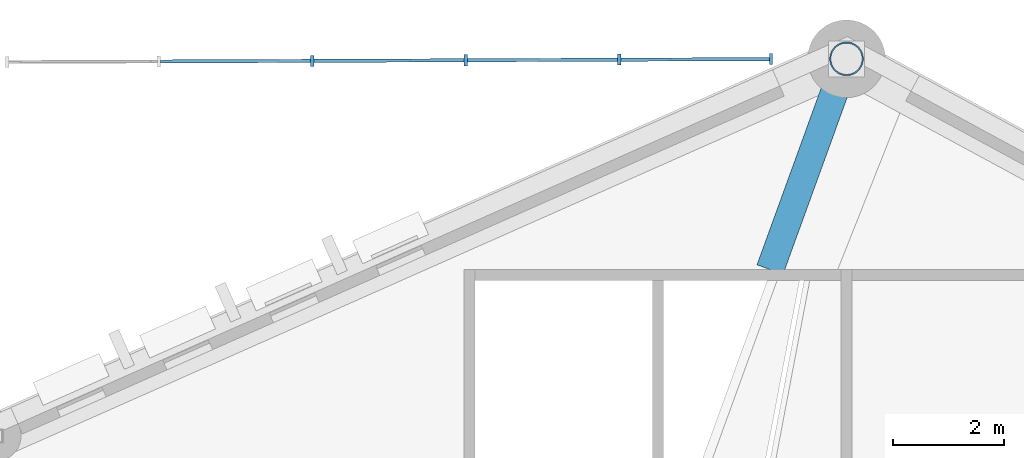
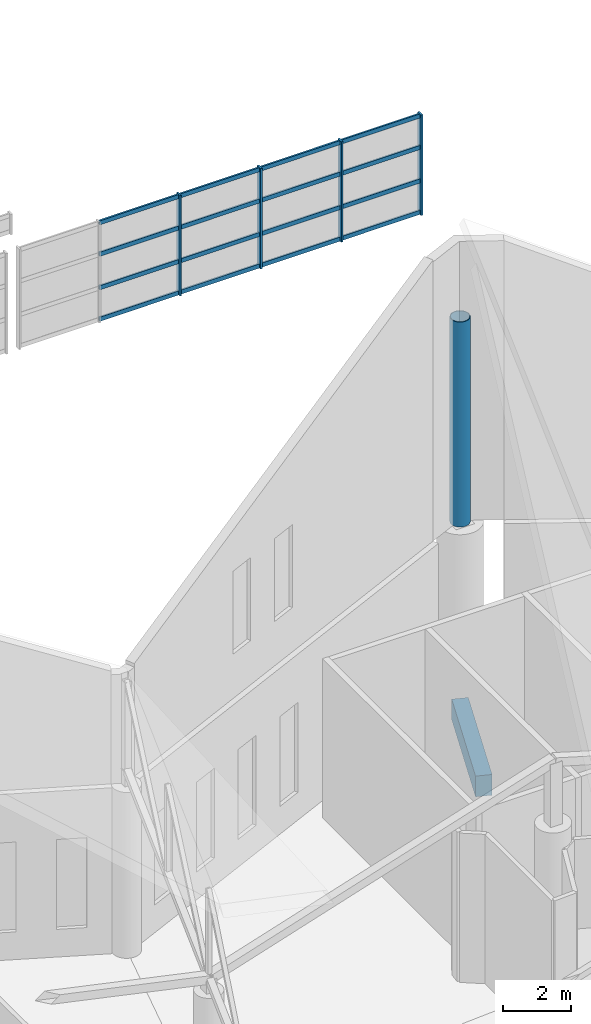
# One storey, part 204 of 344: 21 members, 1 beam, 1 element without a shape of its own.
"""IFC4 building model written with IfcOpenShell, lengths in metres."""

from ifc_helpers import new_model, si_unit, direction, frame, origin, origin_2d, place, context, subcontext, project, spatial, rectangle, hollow_circle, extrude, material, layer, layer_set, material_profile, profile_set, type_object, element, aggregate, save


model = new_model("IFC4")

# Units and contexts
model_context = context("Model", 3, precision=1e-05, world=origin(), true_north=direction((0.0, 1.0)))
body_context = subcontext(model_context, "Body", "Model", "MODEL_VIEW")
ifc_project = project(units=[si_unit("LENGTHUNIT", "METRE"), si_unit("AREAUNIT", "SQUARE_METRE"), si_unit("VOLUMEUNIT", "CUBIC_METRE"), si_unit("PLANEANGLEUNIT", "RADIAN"), si_unit("MASSUNIT", "GRAM", prefix="KILO")], contexts=[model_context])

# Site, building, storey
site_placement = place(None, origin())
site = spatial("IfcSite", under=ifc_project, at=site_placement, CompositionType="ELEMENT")
building_placement = place(site_placement, origin())
building = spatial("IfcBuilding", under=site, at=building_placement, Name="Meseta Stadium", CompositionType="ELEMENT")
storey_placement = place(building_placement, frame((0.0, 0.0, 24.0)))
storey = spatial("IfcBuildingStorey", under=building, at=storey_placement, Name="L04", CompositionType="ELEMENT", Elevation=24.0)

# Member
ifc_material_1 = material(Name="Steel S355", Category="steel")
ifc_material_profile_1 = material_profile(ifc_material_1, hollow_circle(Radius=0.304931640625, WallThickness=0.02490234375, at=origin_2d()), Name="CHS 610x25")
ifc_profile_set_1 = profile_set([ifc_material_profile_1], Name="Steel S355")
member_type_1 = type_object("IfcMemberType", Name="CHS 610x25 pylon post", PredefinedType="POST", material=ifc_profile_set_1)
member_1_placement = place(storey_placement, frame((38.333251953125, 105.39990234375, 6.0), z_axis=(0.0, 0.0, 1.0), x_axis=(1.0, 0.0, 0.0)))
element("IfcMember", 1, at=member_1_placement, inside=storey, type_object=member_type_1, Name="GABLE ARCH GA-N pylon post", PredefinedType="POST", context=body_context, shape_type="SweptSolid", body=[
    extrude(hollow_circle(Radius=0.304931640625, WallThickness=0.02490234375, at=origin_2d()), origin(), (0.0, 0.0, 1.0), 7.412841796875),
])

# Curtain wall, members
ifc_material_2 = material(Name="Aluminium", Category="aluminium")
ifc_layer = layer(ifc_material_2, 0.199951171875)
ifc_layer_set = layer_set([ifc_layer], Name="Gable glazing curtain wall")
curtain_wall_type = type_object("IfcCurtainWallType", Name="Gable glazing curtain wall", PredefinedType="NOTDEFINED", material=ifc_layer_set)
curtain_wall_placement = place(storey_placement, origin())
curtain_wall = element("IfcCurtainWall", 2, at=curtain_wall_placement, inside=storey, type_object=curtain_wall_type, Name="Gable glazing north lower bay 01", PredefinedType="NOTDEFINED")
ifc_material_3 = material(Name="Aluminium", Category="aluminium")
ifc_material_profile_2 = material_profile(ifc_material_3, rectangle(XDim=0.199951171875, YDim=0.06005859375, at=origin_2d()), Name="CW 200x60")
ifc_profile_set_2 = profile_set([ifc_material_profile_2], Name="Aluminium")
member_type_2 = type_object("IfcMemberType", Name="CW mullion 60x200", PredefinedType="MULLION", material=ifc_profile_set_2)
member_2_placement = place(storey_placement, frame((36.971435546875, 105.394775390625, 17.60009765625), z_axis=(0.0, 0.0, 1.0), x_axis=(0.003847534181, -0.999992598213, 0.0)))
member_2 = element("IfcMember", 3, at=member_2_placement, type_object=member_type_2, Name="CWG mullion 1", PredefinedType="MULLION", context=body_context, shape_type="SweptSolid", body=[
    extrude(rectangle(XDim=0.199951171875, YDim=0.06005859375, at=origin_2d()), origin(), (0.0, 0.0, 1.0), 3.635009765625),
])
member_3_placement = place(storey_placement, frame((34.235107421875, 105.38427734375, 17.60009765625), z_axis=(0.0, 0.0, 1.0), x_axis=(0.003847534181, -0.999992598213, 0.0)))
member_3 = element("IfcMember", 4, at=member_3_placement, type_object=member_type_2, Name="CWG mullion 2", PredefinedType="MULLION", context=body_context, shape_type="SweptSolid", body=[
    extrude(rectangle(XDim=0.199951171875, YDim=0.06005859375, at=origin_2d()), origin(), (0.0, 0.0, 1.0), 3.635009765625),
])
member_4_placement = place(storey_placement, frame((31.46875, 105.37353515625, 17.60009765625), z_axis=(0.0, 0.0, 1.0), x_axis=(0.003847534181, -0.999992598213, 0.0)))
member_4 = element("IfcMember", 5, at=member_4_placement, type_object=member_type_2, Name="CWG mullion 3", PredefinedType="MULLION", context=body_context, shape_type="SweptSolid", body=[
    extrude(rectangle(XDim=0.199951171875, YDim=0.06005859375, at=origin_2d()), origin(), (0.0, 0.0, 1.0), 3.635009765625),
])
member_5_placement = place(storey_placement, frame((28.702392578125, 105.363037109375, 17.60009765625), z_axis=(0.0, 0.0, 1.0), x_axis=(0.003847534181, -0.999992598213, 0.0)))
member_5 = element("IfcMember", 6, at=member_5_placement, type_object=member_type_2, Name="CWG mullion 4", PredefinedType="MULLION", context=body_context, shape_type="SweptSolid", body=[
    extrude(rectangle(XDim=0.199951171875, YDim=0.06005859375, at=origin_2d()), origin(), (0.0, 0.0, 1.0), 3.635009765625),
])
ifc_material_4 = material(Name="Aluminium", Category="aluminium")
ifc_material_profile_3 = material_profile(ifc_material_4, rectangle(XDim=0.06005859375, YDim=0.14990234375, at=origin_2d()), Name="CW 60x150")
ifc_profile_set_3 = profile_set([ifc_material_profile_3], Name="Aluminium")
member_type_3 = type_object("IfcMemberType", Name="CW transom 60x150", PredefinedType="USERDEFINED", material=ifc_profile_set_3)
member_6_placement = place(storey_placement, frame((36.94140625, 105.39453125, 17.675048828125), z_axis=(-0.999992661539, -0.003831040024, 0.0), x_axis=(0.003831040024, -0.999992661539, 0.0)))
member_6 = element("IfcMember", 7, at=member_6_placement, type_object=member_type_3, Name="CWG transom 1.1", ObjectType="TRANSOM", PredefinedType="USERDEFINED", context=body_context, shape_type="SweptSolid", body=[
    extrude(rectangle(XDim=0.06005859375, YDim=0.14990234375, at=origin_2d()), origin(), (0.0, 0.0, 1.0), 2.676513671875),
])
member_7_placement = place(storey_placement, frame((36.94140625, 105.39453125, 18.811767578125), z_axis=(-0.999992661539, -0.003831040024, 0.0), x_axis=(0.003831040024, -0.999992661539, 0.0)))
member_7 = element("IfcMember", 8, at=member_7_placement, type_object=member_type_3, Name="CWG transom 1.2", ObjectType="TRANSOM", PredefinedType="USERDEFINED", context=body_context, shape_type="SweptSolid", body=[
    extrude(rectangle(XDim=0.06005859375, YDim=0.14990234375, at=origin_2d()), origin(), (0.0, 0.0, 1.0), 2.676513671875),
])
member_8_placement = place(storey_placement, frame((36.94140625, 105.39453125, 20.0234375), z_axis=(-0.999992661539, -0.003831040024, 0.0), x_axis=(0.003831040024, -0.999992661539, 0.0)))
member_8 = element("IfcMember", 9, at=member_8_placement, type_object=member_type_3, Name="CWG transom 1.3", ObjectType="TRANSOM", PredefinedType="USERDEFINED", context=body_context, shape_type="SweptSolid", body=[
    extrude(rectangle(XDim=0.06005859375, YDim=0.14990234375, at=origin_2d()), origin(), (0.0, 0.0, 1.0), 2.676513671875),
])
member_9_placement = place(storey_placement, frame((36.94140625, 105.39453125, 21.159912109375), z_axis=(-0.999992661539, -0.003831040024, 0.0), x_axis=(0.003831040024, -0.999992661539, 0.0)))
member_9 = element("IfcMember", 10, at=member_9_placement, type_object=member_type_3, Name="CWG transom 1.4", ObjectType="TRANSOM", PredefinedType="USERDEFINED", context=body_context, shape_type="SweptSolid", body=[
    extrude(rectangle(XDim=0.06005859375, YDim=0.14990234375, at=origin_2d()), origin(), (0.0, 0.0, 1.0), 2.676513671875),
])
member_10_placement = place(storey_placement, frame((34.205078125, 105.384033203125, 17.675048828125), z_axis=(-0.999992823476, -0.003788534962, 0.0), x_axis=(0.003788534962, -0.999992823476, 0.0)))
member_10 = element("IfcMember", 11, at=member_10_placement, type_object=member_type_3, Name="CWG transom 2.1", ObjectType="TRANSOM", PredefinedType="USERDEFINED", context=body_context, shape_type="SweptSolid", body=[
    extrude(rectangle(XDim=0.06005859375, YDim=0.14990234375, at=origin_2d()), origin(), (0.0, 0.0, 1.0), 2.70654296875),
])
member_11_placement = place(storey_placement, frame((34.205078125, 105.384033203125, 18.811767578125), z_axis=(-0.999992823476, -0.003788534962, 0.0), x_axis=(0.003788534962, -0.999992823476, 0.0)))
member_11 = element("IfcMember", 12, at=member_11_placement, type_object=member_type_3, Name="CWG transom 2.2", ObjectType="TRANSOM", PredefinedType="USERDEFINED", context=body_context, shape_type="SweptSolid", body=[
    extrude(rectangle(XDim=0.06005859375, YDim=0.14990234375, at=origin_2d()), origin(), (0.0, 0.0, 1.0), 2.70654296875),
])
member_12_placement = place(storey_placement, frame((34.205078125, 105.384033203125, 20.0234375), z_axis=(-0.999992823476, -0.003788534962, 0.0), x_axis=(0.003788534962, -0.999992823476, 0.0)))
member_12 = element("IfcMember", 13, at=member_12_placement, type_object=member_type_3, Name="CWG transom 2.3", ObjectType="TRANSOM", PredefinedType="USERDEFINED", context=body_context, shape_type="SweptSolid", body=[
    extrude(rectangle(XDim=0.06005859375, YDim=0.14990234375, at=origin_2d()), origin(), (0.0, 0.0, 1.0), 2.70654296875),
])
member_13_placement = place(storey_placement, frame((34.205078125, 105.384033203125, 21.159912109375), z_axis=(-0.999992823476, -0.003788534962, 0.0), x_axis=(0.003788534962, -0.999992823476, 0.0)))
member_13 = element("IfcMember", 14, at=member_13_placement, type_object=member_type_3, Name="CWG transom 2.4", ObjectType="TRANSOM", PredefinedType="USERDEFINED", context=body_context, shape_type="SweptSolid", body=[
    extrude(rectangle(XDim=0.06005859375, YDim=0.14990234375, at=origin_2d()), origin(), (0.0, 0.0, 1.0), 2.70654296875),
])
member_14_placement = place(storey_placement, frame((31.438720703125, 105.37353515625, 17.675048828125), z_axis=(-0.999992477672, -0.003878736834, 0.0), x_axis=(0.003878736834, -0.999992477672, 0.0)))
member_14 = element("IfcMember", 15, at=member_14_placement, type_object=member_type_3, Name="CWG transom 3.1", ObjectType="TRANSOM", PredefinedType="USERDEFINED", context=body_context, shape_type="SweptSolid", body=[
    extrude(rectangle(XDim=0.06005859375, YDim=0.14990234375, at=origin_2d()), origin(), (0.0, 0.0, 1.0), 2.70654296875),
])
member_15_placement = place(storey_placement, frame((31.438720703125, 105.37353515625, 18.811767578125), z_axis=(-0.999992477672, -0.003878736834, 0.0), x_axis=(0.003878736834, -0.999992477672, 0.0)))
member_15 = element("IfcMember", 16, at=member_15_placement, type_object=member_type_3, Name="CWG transom 3.2", ObjectType="TRANSOM", PredefinedType="USERDEFINED", context=body_context, shape_type="SweptSolid", body=[
    extrude(rectangle(XDim=0.06005859375, YDim=0.14990234375, at=origin_2d()), origin(), (0.0, 0.0, 1.0), 2.70654296875),
])
member_16_placement = place(storey_placement, frame((31.438720703125, 105.37353515625, 20.0234375), z_axis=(-0.999992477672, -0.003878736834, 0.0), x_axis=(0.003878736834, -0.999992477672, 0.0)))
member_16 = element("IfcMember", 17, at=member_16_placement, type_object=member_type_3, Name="CWG transom 3.3", ObjectType="TRANSOM", PredefinedType="USERDEFINED", context=body_context, shape_type="SweptSolid", body=[
    extrude(rectangle(XDim=0.06005859375, YDim=0.14990234375, at=origin_2d()), origin(), (0.0, 0.0, 1.0), 2.70654296875),
])
member_17_placement = place(storey_placement, frame((31.438720703125, 105.37353515625, 21.159912109375), z_axis=(-0.999992477672, -0.003878736834, 0.0), x_axis=(0.003878736834, -0.999992477672, 0.0)))
member_17 = element("IfcMember", 18, at=member_17_placement, type_object=member_type_3, Name="CWG transom 3.4", ObjectType="TRANSOM", PredefinedType="USERDEFINED", context=body_context, shape_type="SweptSolid", body=[
    extrude(rectangle(XDim=0.06005859375, YDim=0.14990234375, at=origin_2d()), origin(), (0.0, 0.0, 1.0), 2.70654296875),
])
member_18_placement = place(storey_placement, frame((28.67236328125, 105.36279296875, 17.675048828125), z_axis=(-0.999992477672, -0.003878736834, 0.0), x_axis=(0.003878736834, -0.999992477672, 0.0)))
member_18 = element("IfcMember", 19, at=member_18_placement, type_object=member_type_3, Name="CWG transom 4.1", ObjectType="TRANSOM", PredefinedType="USERDEFINED", context=body_context, shape_type="SweptSolid", body=[
    extrude(rectangle(XDim=0.06005859375, YDim=0.14990234375, at=origin_2d()), origin(), (0.0, 0.0, 1.0), 2.70654296875),
])
member_19_placement = place(storey_placement, frame((28.67236328125, 105.36279296875, 18.811767578125), z_axis=(-0.999992477672, -0.003878736834, 0.0), x_axis=(0.003878736834, -0.999992477672, 0.0)))
member_19 = element("IfcMember", 20, at=member_19_placement, type_object=member_type_3, Name="CWG transom 4.2", ObjectType="TRANSOM", PredefinedType="USERDEFINED", context=body_context, shape_type="SweptSolid", body=[
    extrude(rectangle(XDim=0.06005859375, YDim=0.14990234375, at=origin_2d()), origin(), (0.0, 0.0, 1.0), 2.70654296875),
])
member_20_placement = place(storey_placement, frame((28.67236328125, 105.36279296875, 20.0234375), z_axis=(-0.999992477672, -0.003878736834, 0.0), x_axis=(0.003878736834, -0.999992477672, 0.0)))
member_20 = element("IfcMember", 21, at=member_20_placement, type_object=member_type_3, Name="CWG transom 4.3", ObjectType="TRANSOM", PredefinedType="USERDEFINED", context=body_context, shape_type="SweptSolid", body=[
    extrude(rectangle(XDim=0.06005859375, YDim=0.14990234375, at=origin_2d()), origin(), (0.0, 0.0, 1.0), 2.70654296875),
])
member_21_placement = place(storey_placement, frame((28.67236328125, 105.36279296875, 21.159912109375), z_axis=(-0.999992477672, -0.003878736834, 0.0), x_axis=(0.003878736834, -0.999992477672, 0.0)))
member_21 = element("IfcMember", 22, at=member_21_placement, type_object=member_type_3, Name="CWG transom 4.4", ObjectType="TRANSOM", PredefinedType="USERDEFINED", context=body_context, shape_type="SweptSolid", body=[
    extrude(rectangle(XDim=0.06005859375, YDim=0.14990234375, at=origin_2d()), origin(), (0.0, 0.0, 1.0), 2.70654296875),
])
aggregate(curtain_wall, [member_2, member_3, member_4, member_5, member_6, member_7, member_8, member_9, member_10, member_11, member_12, member_13, member_14, member_15, member_16, member_17, member_18, member_19, member_20, member_21])

# Beam
ifc_material_5 = material(Name="Concrete C40/50", Category="concrete")
ifc_material_profile_4 = material_profile(ifc_material_5, rectangle(XDim=0.5, YDim=0.75, at=origin_2d()), Name="RC 500x750")
ifc_profile_set_4 = profile_set([ifc_material_profile_4], Name="Concrete C40/50")
beam_type = type_object("IfcBeamType", Name="RC beam 500x750", PredefinedType="BEAM", material=ifc_profile_set_4)
beam_placement = place(storey_placement, frame((36.9541015625, 101.60009765625, -0.77490234375), z_axis=(0.341175633366, 0.939999567658, 0.0), x_axis=(-0.939999567658, 0.341175633366, 0.0)))
element("IfcBeam", 23, at=beam_placement, inside=storey, type_object=beam_type, Name="L04 radial beam frame 16 line P to R", PredefinedType="BEAM", context=body_context, shape_type="SweptSolid", body=[
    extrude(rectangle(XDim=0.5, YDim=0.75, at=origin_2d()), origin(), (0.0, 0.0, 1.0), 4.042236328125),
])

save(model, "model.ifc")
